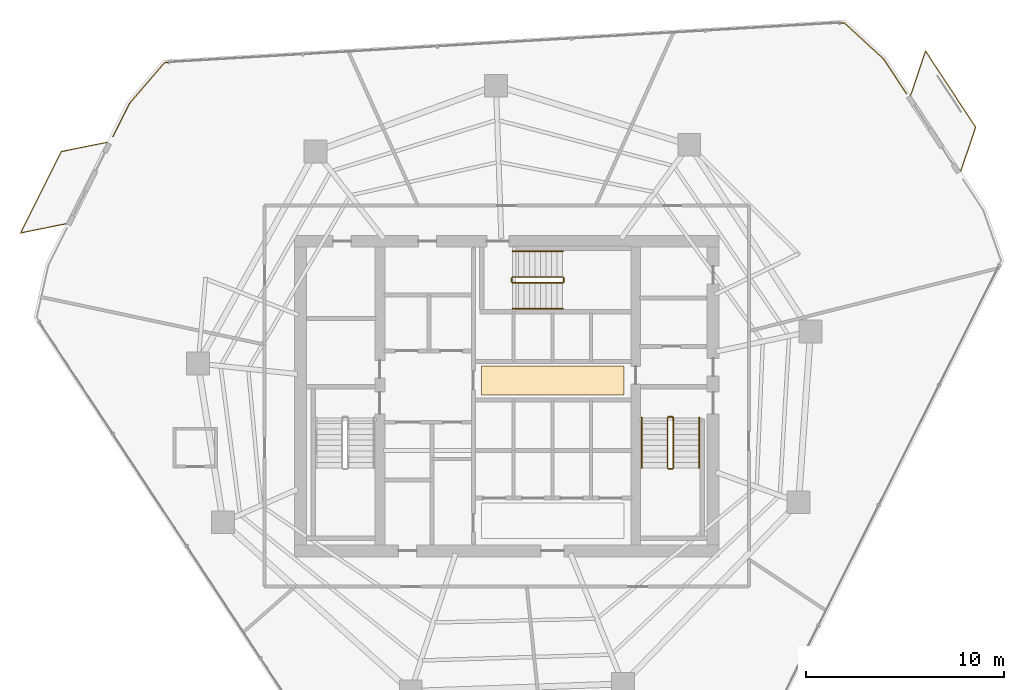
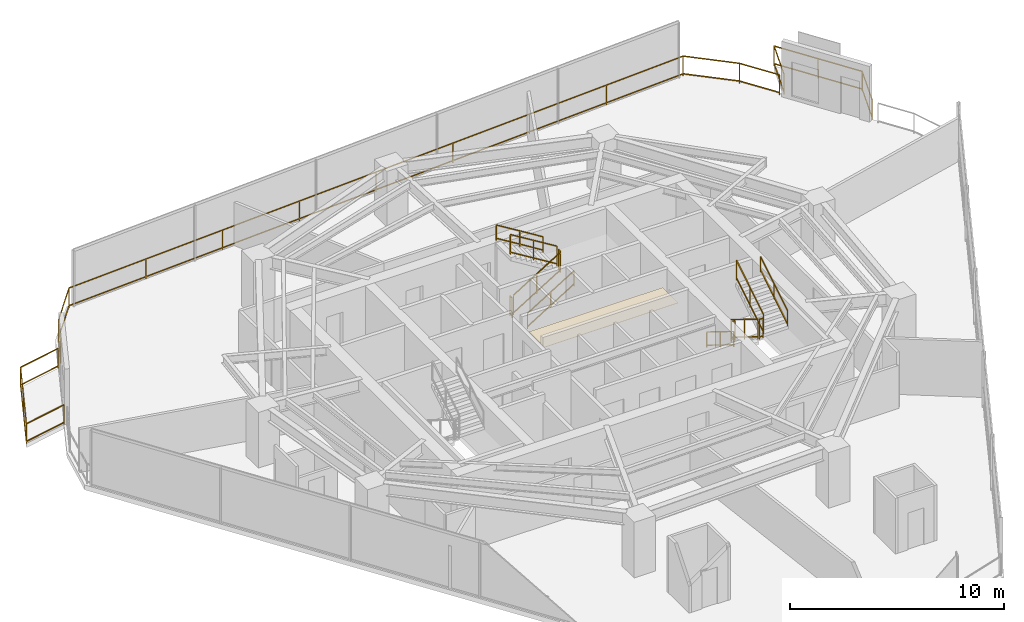
# One storey, part 30 of 30: 16 railings, 1 covering.
"""IFC4 building model written with IfcOpenShell, lengths in metres."""

from ifc_helpers import new_model, si_unit, direction, frame, origin, origin_2d, place, context, subcontext, project, spatial, rectangle, extrude, material, layer, layer_set, type_object, element, save


model = new_model("IFC4")

# Units and contexts
model_context = context("Model", 3, precision=1e-05, world=origin(), true_north=direction((0.0, 1.0)))
body_context = subcontext(model_context, "Body", "Model", "MODEL_VIEW")
ifc_project = project(units=[si_unit("LENGTHUNIT", "METRE"), si_unit("AREAUNIT", "SQUARE_METRE"), si_unit("VOLUMEUNIT", "CUBIC_METRE"), si_unit("PLANEANGLEUNIT", "RADIAN"), si_unit("MASSUNIT", "GRAM", prefix="KILO")], contexts=[model_context])

# Site, building, storey
site_placement = place(None, origin())
site = spatial("IfcSite", under=ifc_project, at=site_placement, CompositionType="ELEMENT")
building_placement = place(site_placement, origin())
building = spatial("IfcBuilding", under=site, at=building_placement, Name="Qarnah Convention Tower", CompositionType="ELEMENT")
storey_placement = place(building_placement, frame((0.0, 0.0, 79.800048828125)))
storey = spatial("IfcBuildingStorey", under=building, at=storey_placement, Name="L20", CompositionType="ELEMENT", Elevation=79.800048828125)

# Covering
ifc_material_1 = material(Name="Mineral fibre acoustic ceiling")
ifc_layer = layer(ifc_material_1, 0.02001953125)
ifc_layer_set = layer_set([ifc_layer], Name="Mineral fibre acoustic ceiling")
covering_type = type_object("IfcCoveringType", Name="COV-CEIL-20", PredefinedType="CEILING", material=ifc_layer_set)
covering_placement = place(storey_placement, frame((39.52001953125, 27.179931640625, 2.2900390625), z_axis=(0.0, 0.0, 1.0), x_axis=(1.0, 0.0, 0.0)))
element("IfcCovering", 1, at=covering_placement, inside=storey, type_object=covering_type, Name="L20 lift lobby acoustic ceiling", PredefinedType="CEILING", context=body_context, shape_type="SweptSolid", body=[
    extrude(rectangle(XDim=7.199951171875, YDim=1.449951171875, at=origin_2d()), origin(), (0.0, 0.0, 1.0), 0.02001953125),
])

# Railings
ifc_material_2 = material(Name="Black anodised aluminium", Category="aluminium")
railing_type_1 = type_object("IfcRailingType", Name="RL-EXT-GUARD-1150", PredefinedType="GUARDRAIL", material=ifc_material_2)
railing_1_placement = place(storey_placement, frame((56.199951171875, 43.3798828125, 0.0)))
element("IfcRailing", 2, at=railing_1_placement, inside=storey, type_object=railing_type_1, Name="L20 slab-edge perimeter safety guard 01", PredefinedType="GUARDRAIL", context=body_context, shape_type="SweptSolid", body=[
    extrude(rectangle(XDim=0.048095703125, YDim=0.048095703125, at=origin_2d()), frame((0.0, 0.0, 1.1259765625), z_axis=(0.549825162186, -0.835279768118, 0.0), x_axis=(0.835279768118, 0.549825162186, 0.0)), (0.0, 0.0, 1.0), 2.084228515625),
    extrude(rectangle(XDim=0.048095703125, YDim=0.048095703125, at=origin_2d()), frame((0.0, 0.0, 0.1201171875), z_axis=(0.549825162186, -0.835279768118, 0.0), x_axis=(0.835279768118, 0.549825162186, 0.0)), (0.0, 0.0, 1.0), 2.084228515625),
    extrude(rectangle(XDim=0.0419921875, YDim=0.0419921875, at=origin_2d()), origin(), (0.0, 0.0, 1.0), 1.101806640625),
    extrude(rectangle(XDim=0.0419921875, YDim=0.0419921875, at=origin_2d()), frame((1.14599609375, -1.740966796875, 0.0)), (0.0, 0.0, 1.0), 1.101806640625),
])
railing_2_placement = place(storey_placement, frame((17.343994140625, 39.472900390625, 0.0)))
element("IfcRailing", 3, at=railing_2_placement, inside=storey, type_object=railing_type_1, Name="L20 slab-edge perimeter safety guard 03", PredefinedType="GUARDRAIL", context=body_context, shape_type="SweptSolid", body=[
    extrude(rectangle(XDim=0.048095703125, YDim=0.048095703125, at=origin_2d()), frame((0.0, 0.0, 1.1259765625), z_axis=(0.448307647322, 0.893879328183, 0.0), x_axis=(-0.893879328183, 0.448307647322, 0.0)), (0.0, 0.0, 1.0), 1.8740234375),
    extrude(rectangle(XDim=0.048095703125, YDim=0.048095703125, at=origin_2d()), frame((0.0, 0.0, 0.1201171875), z_axis=(0.448307647322, 0.893879328183, 0.0), x_axis=(-0.893879328183, 0.448307647322, 0.0)), (0.0, 0.0, 1.0), 1.8740234375),
    extrude(rectangle(XDim=0.048095703125, YDim=0.048095703125, at=origin_2d()), frame((0.840087890625, 1.675048828125, 1.1259765625), z_axis=(0.651393912258, 0.758739725514, 0.0), x_axis=(-0.758739725514, 0.651393912258, 0.0)), (0.0, 0.0, 1.0), 2.701904296875),
    extrude(rectangle(XDim=0.048095703125, YDim=0.048095703125, at=origin_2d()), frame((0.840087890625, 1.675048828125, 0.1201171875), z_axis=(0.651393912258, 0.758739725514, 0.0), x_axis=(-0.758739725514, 0.651393912258, 0.0)), (0.0, 0.0, 1.0), 2.701904296875),
    extrude(rectangle(XDim=0.048095703125, YDim=0.048095703125, at=origin_2d()), frame((2.60009765625, 3.72509765625, 1.1259765625), z_axis=(0.998280939424, 0.058610289045, 0.0), x_axis=(-0.058610289045, 0.998280939424, 0.0)), (0.0, 0.0, 1.0), 34.327880859375),
    extrude(rectangle(XDim=0.048095703125, YDim=0.048095703125, at=origin_2d()), frame((2.60009765625, 3.72509765625, 0.1201171875), z_axis=(0.998280939424, 0.058610289045, 0.0), x_axis=(-0.058610289045, 0.998280939424, 0.0)), (0.0, 0.0, 1.0), 34.327880859375),
    extrude(rectangle(XDim=0.048095703125, YDim=0.048095703125, at=origin_2d()), frame((36.868896484375, 5.737060546875, 1.1259765625), z_axis=(0.735565252212, -0.677453880155, 0.0), x_axis=(0.677453880155, 0.735565252212, 0.0)), (0.0, 0.0, 1.0), 2.701416015625),
    extrude(rectangle(XDim=0.048095703125, YDim=0.048095703125, at=origin_2d()), frame((36.868896484375, 5.737060546875, 0.1201171875), z_axis=(0.735565252212, -0.677453880155, 0.0), x_axis=(0.677453880155, 0.735565252212, 0.0)), (0.0, 0.0, 1.0), 2.701416015625),
    extrude(rectangle(XDim=0.0419921875, YDim=0.0419921875, at=origin_2d()), origin(), (0.0, 0.0, 1.0), 1.101806640625),
    extrude(rectangle(XDim=0.0419921875, YDim=0.0419921875, at=origin_2d()), frame((0.840087890625, 1.675048828125, 0.0)), (0.0, 0.0, 1.0), 1.101806640625),
    extrude(rectangle(XDim=0.0419921875, YDim=0.0419921875, at=origin_2d()), frame((2.60009765625, 3.72509765625, 0.0)), (0.0, 0.0, 1.0), 1.101806640625),
    extrude(rectangle(XDim=0.0419921875, YDim=0.0419921875, at=origin_2d()), frame((6.8837890625, 3.9765625, 0.0)), (0.0, 0.0, 1.0), 1.101806640625),
    extrude(rectangle(XDim=0.0419921875, YDim=0.0419921875, at=origin_2d()), frame((11.167236328125, 4.22802734375, 0.0)), (0.0, 0.0, 1.0), 1.101806640625),
    extrude(rectangle(XDim=0.0419921875, YDim=0.0419921875, at=origin_2d()), frame((15.450927734375, 4.4794921875, 0.0)), (0.0, 0.0, 1.0), 1.101806640625),
    extrude(rectangle(XDim=0.0419921875, YDim=0.0419921875, at=origin_2d()), frame((19.734375, 4.73095703125, 0.0)), (0.0, 0.0, 1.0), 1.101806640625),
    extrude(rectangle(XDim=0.0419921875, YDim=0.0419921875, at=origin_2d()), frame((24.01806640625, 4.982666015625, 0.0)), (0.0, 0.0, 1.0), 1.101806640625),
    extrude(rectangle(XDim=0.0419921875, YDim=0.0419921875, at=origin_2d()), frame((28.3017578125, 5.234130859375, 0.0)), (0.0, 0.0, 1.0), 1.101806640625),
    extrude(rectangle(XDim=0.0419921875, YDim=0.0419921875, at=origin_2d()), frame((32.585205078125, 5.485595703125, 0.0)), (0.0, 0.0, 1.0), 1.101806640625),
    extrude(rectangle(XDim=0.0419921875, YDim=0.0419921875, at=origin_2d()), frame((36.868896484375, 5.737060546875, 0.0)), (0.0, 0.0, 1.0), 1.101806640625),
    extrude(rectangle(XDim=0.0419921875, YDim=0.0419921875, at=origin_2d()), frame((38.85595703125, 3.906982421875, 0.0)), (0.0, 0.0, 1.0), 1.101806640625),
])
railing_3_placement = place(storey_placement, frame((57.553955078125, 41.568115234375, 0.0)))
element("IfcRailing", 4, at=railing_3_placement, inside=storey, type_object=railing_type_1, Name="L20 balcony safety guard BAL-L20-C1", PredefinedType="GUARDRAIL", context=body_context, shape_type="SweptSolid", body=[
    extrude(rectangle(XDim=0.048095703125, YDim=0.048095703125, at=origin_2d()), frame((0.0, 0.0, 1.1259765625), z_axis=(0.319812479131, 0.947480859011, 0.0), x_axis=(-0.947480859011, 0.319812479131, 0.0)), (0.0, 0.0, 1.0), 2.34814453125),
    extrude(rectangle(XDim=0.048095703125, YDim=0.048095703125, at=origin_2d()), frame((0.0, 0.0, 0.1201171875), z_axis=(0.319812479131, 0.947480859011, 0.0), x_axis=(-0.947480859011, 0.319812479131, 0.0)), (0.0, 0.0, 1.0), 2.34814453125),
    extrude(rectangle(XDim=0.048095703125, YDim=0.048095703125, at=origin_2d()), frame((0.7509765625, 2.224853515625, 1.1259765625), z_axis=(0.549828023553, -0.835277884608, 0.0), x_axis=(0.835277884608, 0.549828023553, 0.0)), (0.0, 0.0, 1.0), 4.599609375),
    extrude(rectangle(XDim=0.048095703125, YDim=0.048095703125, at=origin_2d()), frame((0.7509765625, 2.224853515625, 0.1201171875), z_axis=(0.549828023553, -0.835277884608, 0.0), x_axis=(0.835277884608, 0.549828023553, 0.0)), (0.0, 0.0, 1.0), 4.599609375),
    extrude(rectangle(XDim=0.048095703125, YDim=0.048095703125, at=origin_2d()), frame((3.280029296875, -1.6171875, 1.1259765625), z_axis=(-0.319439059991, -0.947606820866, 0.0), x_axis=(0.947606820866, -0.319439059991, 0.0)), (0.0, 0.0, 1.0), 2.347900390625),
    extrude(rectangle(XDim=0.048095703125, YDim=0.048095703125, at=origin_2d()), frame((3.280029296875, -1.6171875, 0.1201171875), z_axis=(-0.319439059991, -0.947606820866, 0.0), x_axis=(0.947606820866, -0.319439059991, 0.0)), (0.0, 0.0, 1.0), 2.347900390625),
    extrude(rectangle(XDim=0.0419921875, YDim=0.0419921875, at=origin_2d()), origin(), (0.0, 0.0, 1.0), 1.101806640625),
    extrude(rectangle(XDim=0.0419921875, YDim=0.0419921875, at=origin_2d()), frame((0.7509765625, 2.224853515625, 0.0)), (0.0, 0.0, 1.0), 1.101806640625),
    extrude(rectangle(XDim=0.0419921875, YDim=0.0419921875, at=origin_2d()), frame((2.015625, 0.3037109375, 0.0)), (0.0, 0.0, 1.0), 1.101806640625),
    extrude(rectangle(XDim=0.0419921875, YDim=0.0419921875, at=origin_2d()), frame((3.280029296875, -1.6171875, 0.0)), (0.0, 0.0, 1.0), 1.101806640625),
    extrude(rectangle(XDim=0.0419921875, YDim=0.0419921875, at=origin_2d()), frame((2.530029296875, -3.842041015625, 0.0)), (0.0, 0.0, 1.0), 1.101806640625),
])
railing_4_placement = place(storey_placement, frame((14.989013671875, 35.0791015625, 0.0)))
element("IfcRailing", 5, at=railing_4_placement, inside=storey, type_object=railing_type_1, Name="L20 balcony safety guard BAL-L20-C2", PredefinedType="GUARDRAIL", context=body_context, shape_type="SweptSolid", body=[
    extrude(rectangle(XDim=0.048095703125, YDim=0.048095703125, at=origin_2d()), frame((0.0, 0.0, 1.1259765625), z_axis=(-0.980356095778, -0.197235710435, 0.0), x_axis=(0.197235710435, -0.980356095778, 0.0)), (0.0, 0.0, 1.0), 2.34814453125),
    extrude(rectangle(XDim=0.048095703125, YDim=0.048095703125, at=origin_2d()), frame((0.0, 0.0, 0.1201171875), z_axis=(-0.980356095778, -0.197235710435, 0.0), x_axis=(0.197235710435, -0.980356095778, 0.0)), (0.0, 0.0, 1.0), 2.34814453125),
    extrude(rectangle(XDim=0.048095703125, YDim=0.048095703125, at=origin_2d()), frame((-2.302001953125, -0.463134765625, 1.1259765625), z_axis=(0.448423132749, 0.893821399395, 0.0), x_axis=(-0.893821399395, 0.448423132749, 0.0)), (0.0, 0.0, 1.0), 4.6005859375),
    extrude(rectangle(XDim=0.048095703125, YDim=0.048095703125, at=origin_2d()), frame((-2.302001953125, -0.463134765625, 0.1201171875), z_axis=(0.448423132749, 0.893821399395, 0.0), x_axis=(-0.893821399395, 0.448423132749, 0.0)), (0.0, 0.0, 1.0), 4.6005859375),
    extrude(rectangle(XDim=0.048095703125, YDim=0.048095703125, at=origin_2d()), frame((-0.239013671875, 3.64892578125, 1.1259765625), z_axis=(0.980456499917, 0.196735995105, 0.0), x_axis=(-0.196735995105, 0.980456499917, 0.0)), (0.0, 0.0, 1.0), 2.347900390625),
    extrude(rectangle(XDim=0.048095703125, YDim=0.048095703125, at=origin_2d()), frame((-0.239013671875, 3.64892578125, 0.1201171875), z_axis=(0.980456499917, 0.196735995105, 0.0), x_axis=(-0.196735995105, 0.980456499917, 0.0)), (0.0, 0.0, 1.0), 2.347900390625),
    extrude(rectangle(XDim=0.0419921875, YDim=0.0419921875, at=origin_2d()), origin(), (0.0, 0.0, 1.0), 1.101806640625),
    extrude(rectangle(XDim=0.0419921875, YDim=0.0419921875, at=origin_2d()), frame((-2.302001953125, -0.463134765625, 0.0)), (0.0, 0.0, 1.0), 1.101806640625),
    extrude(rectangle(XDim=0.0419921875, YDim=0.0419921875, at=origin_2d()), frame((-1.2705078125, 1.5927734375, 0.0)), (0.0, 0.0, 1.0), 1.101806640625),
    extrude(rectangle(XDim=0.0419921875, YDim=0.0419921875, at=origin_2d()), frame((-0.239013671875, 3.64892578125, 0.0)), (0.0, 0.0, 1.0), 1.101806640625),
    extrude(rectangle(XDim=0.0419921875, YDim=0.0419921875, at=origin_2d()), frame((2.06298828125, 4.11083984375, 0.0)), (0.0, 0.0, 1.0), 1.101806640625),
])
ifc_material_3 = material(Name="Structural steel S355JR", Category="steel")
railing_type_2 = type_object("IfcRailingType", Name="RL-STAIR-GUARD-1150", PredefinedType="GUARDRAIL", material=ifc_material_3)
railing_5_placement = place(storey_placement, frame((45.300048828125, 25.300048828125, 0.17236328125)))
element("IfcRailing", 6, at=railing_5_placement, inside=storey, type_object=railing_type_2, Name="L20 ST-2 stair guard 1", PredefinedType="GUARDRAIL", context=body_context, shape_type="SweptSolid", body=[
    extrude(rectangle(XDim=0.048095703125, YDim=0.048095703125, at=origin_2d()), frame((0.0, 0.0, 1.1259765625), z_axis=(0.0, -0.851400495292, 0.524516154772), x_axis=(1.0, 0.0, 0.0)), (0.0, 0.0, 1.0), 2.9599609375),
    extrude(rectangle(XDim=0.048095703125, YDim=0.048095703125, at=origin_2d()), frame((0.0, 0.0, 0.1201171875), z_axis=(0.0, -0.851400495292, 0.524516154772), x_axis=(1.0, 0.0, 0.0)), (0.0, 0.0, 1.0), 2.9599609375),
    extrude(rectangle(XDim=0.0419921875, YDim=0.0419921875, at=origin_2d()), origin(), (0.0, 0.0, 1.0), 1.101806640625),
    extrude(rectangle(XDim=0.0419921875, YDim=0.0419921875, at=origin_2d()), frame((0.0, -1.260009765625, 0.7763671875)), (0.0, 0.0, 1.0), 1.101806640625),
    extrude(rectangle(XDim=0.0419921875, YDim=0.0419921875, at=origin_2d()), frame((0.0, -2.52001953125, 1.552490234375)), (0.0, 0.0, 1.0), 1.101806640625),
])
railing_6_placement = place(storey_placement, frame((45.35009765625, 22.72998046875, 1.724853515625)))
element("IfcRailing", 7, at=railing_6_placement, inside=storey, type_object=railing_type_2, Name="L20 ST-2 stair guard 2", PredefinedType="GUARDRAIL", context=body_context, shape_type="SweptSolid", body=[
    extrude(rectangle(XDim=0.048095703125, YDim=0.048095703125, at=origin_2d()), frame((0.0, 0.0, 1.1259765625), z_axis=(1.0, 0.0, 0.0), x_axis=(0.0, 1.0, 0.0)), (0.0, 0.0, 1.0), 0.199951171875),
    extrude(rectangle(XDim=0.048095703125, YDim=0.048095703125, at=origin_2d()), frame((0.0, 0.0, 0.1201171875), z_axis=(1.0, 0.0, 0.0), x_axis=(0.0, 1.0, 0.0)), (0.0, 0.0, 1.0), 0.199951171875),
    extrude(rectangle(XDim=0.0419921875, YDim=0.0419921875, at=origin_2d()), origin(), (0.0, 0.0, 1.0), 1.101806640625),
    extrude(rectangle(XDim=0.0419921875, YDim=0.0419921875, at=origin_2d()), frame((0.199951171875, 0.0, 0.0)), (0.0, 0.0, 1.0), 1.101806640625),
])
railing_7_placement = place(storey_placement, frame((45.60009765625, 22.780029296875, 1.8974609375)))
element("IfcRailing", 8, at=railing_7_placement, inside=storey, type_object=railing_type_2, Name="L20 ST-2 stair guard 3", PredefinedType="GUARDRAIL", context=body_context, shape_type="SweptSolid", body=[
    extrude(rectangle(XDim=0.048095703125, YDim=0.048095703125, at=origin_2d()), frame((0.0, 0.0, 1.1259765625), z_axis=(0.0, 0.851400495292, 0.524516154772), x_axis=(-1.0, 0.0, 0.0)), (0.0, 0.0, 1.0), 2.9599609375),
    extrude(rectangle(XDim=0.048095703125, YDim=0.048095703125, at=origin_2d()), frame((0.0, 0.0, 0.1201171875), z_axis=(0.0, 0.851400495292, 0.524516154772), x_axis=(-1.0, 0.0, 0.0)), (0.0, 0.0, 1.0), 2.9599609375),
    extrude(rectangle(XDim=0.0419921875, YDim=0.0419921875, at=origin_2d()), origin(), (0.0, 0.0, 1.0), 1.101806640625),
    extrude(rectangle(XDim=0.0419921875, YDim=0.0419921875, at=origin_2d()), frame((0.0, 1.260009765625, 0.7763671875)), (0.0, 0.0, 1.0), 1.101806640625),
    extrude(rectangle(XDim=0.0419921875, YDim=0.0419921875, at=origin_2d()), frame((0.0, 2.52001953125, 1.552490234375)), (0.0, 0.0, 1.0), 1.101806640625),
])
railing_8_placement = place(storey_placement, frame((45.35009765625, 25.35009765625, 0.0)))
element("IfcRailing", 9, at=railing_8_placement, inside=storey, type_object=railing_type_2, Name="L20 ST-2 stair guard 4", PredefinedType="GUARDRAIL", context=body_context, shape_type="SweptSolid", body=[
    extrude(rectangle(XDim=0.048095703125, YDim=0.048095703125, at=origin_2d()), frame((0.0, 0.0, 1.1259765625), z_axis=(1.0, 0.0, 0.0), x_axis=(0.0, 1.0, 0.0)), (0.0, 0.0, 1.0), 0.199951171875),
    extrude(rectangle(XDim=0.048095703125, YDim=0.048095703125, at=origin_2d()), frame((0.0, 0.0, 0.1201171875), z_axis=(1.0, 0.0, 0.0), x_axis=(0.0, 1.0, 0.0)), (0.0, 0.0, 1.0), 0.199951171875),
    extrude(rectangle(XDim=0.0419921875, YDim=0.0419921875, at=origin_2d()), origin(), (0.0, 0.0, 1.0), 1.101806640625),
    extrude(rectangle(XDim=0.0419921875, YDim=0.0419921875, at=origin_2d()), frame((0.199951171875, 0.0, 0.0)), (0.0, 0.0, 1.0), 1.101806640625),
])
railing_9_placement = place(storey_placement, frame((37.5, 32.10009765625, 0.17236328125)))
element("IfcRailing", 10, at=railing_9_placement, inside=storey, type_object=railing_type_2, Name="L20 ST-3 stair guard 1", PredefinedType="GUARDRAIL", context=body_context, shape_type="SweptSolid", body=[
    extrude(rectangle(XDim=0.048095703125, YDim=0.048095703125, at=origin_2d()), frame((0.0, 0.0, 1.1259765625), z_axis=(0.851400495292, 0.0, 0.524516154772), x_axis=(0.0, 1.0, 0.0)), (0.0, 0.0, 1.0), 2.9599609375),
    extrude(rectangle(XDim=0.048095703125, YDim=0.048095703125, at=origin_2d()), frame((0.0, 0.0, 0.1201171875), z_axis=(0.851400495292, 0.0, 0.524516154772), x_axis=(0.0, 1.0, 0.0)), (0.0, 0.0, 1.0), 2.9599609375),
    extrude(rectangle(XDim=0.0419921875, YDim=0.0419921875, at=origin_2d()), origin(), (0.0, 0.0, 1.0), 1.101806640625),
    extrude(rectangle(XDim=0.0419921875, YDim=0.0419921875, at=origin_2d()), frame((1.260009765625, 0.0, 0.7763671875)), (0.0, 0.0, 1.0), 1.101806640625),
    extrude(rectangle(XDim=0.0419921875, YDim=0.0419921875, at=origin_2d()), frame((2.52001953125, 0.0, 1.552490234375)), (0.0, 0.0, 1.0), 1.101806640625),
])
railing_10_placement = place(storey_placement, frame((40.070068359375, 32.14990234375, 1.724853515625)))
element("IfcRailing", 11, at=railing_10_placement, inside=storey, type_object=railing_type_2, Name="L20 ST-3 stair guard 2", PredefinedType="GUARDRAIL", context=body_context, shape_type="SweptSolid", body=[
    extrude(rectangle(XDim=0.048095703125, YDim=0.048095703125, at=origin_2d()), frame((0.0, 0.0, 1.1259765625), z_axis=(0.0, 1.0, 0.0), x_axis=(-1.0, 0.0, 0.0)), (0.0, 0.0, 1.0), 0.2001953125),
    extrude(rectangle(XDim=0.048095703125, YDim=0.048095703125, at=origin_2d()), frame((0.0, 0.0, 0.1201171875), z_axis=(0.0, 1.0, 0.0), x_axis=(-1.0, 0.0, 0.0)), (0.0, 0.0, 1.0), 0.2001953125),
    extrude(rectangle(XDim=0.0419921875, YDim=0.0419921875, at=origin_2d()), origin(), (0.0, 0.0, 1.0), 1.101806640625),
    extrude(rectangle(XDim=0.0419921875, YDim=0.0419921875, at=origin_2d()), frame((0.0, 0.2001953125, 0.0)), (0.0, 0.0, 1.0), 1.101806640625),
])
railing_11_placement = place(storey_placement, frame((40.02001953125, 32.39990234375, 1.8974609375)))
element("IfcRailing", 12, at=railing_11_placement, inside=storey, type_object=railing_type_2, Name="L20 ST-3 stair guard 3", PredefinedType="GUARDRAIL", context=body_context, shape_type="SweptSolid", body=[
    extrude(rectangle(XDim=0.048095703125, YDim=0.048095703125, at=origin_2d()), frame((0.0, 0.0, 1.1259765625), z_axis=(-0.851400495292, 0.0, 0.524516154772), x_axis=(0.0, -1.0, 0.0)), (0.0, 0.0, 1.0), 2.9599609375),
    extrude(rectangle(XDim=0.048095703125, YDim=0.048095703125, at=origin_2d()), frame((0.0, 0.0, 0.1201171875), z_axis=(-0.851400495292, 0.0, 0.524516154772), x_axis=(0.0, -1.0, 0.0)), (0.0, 0.0, 1.0), 2.9599609375),
    extrude(rectangle(XDim=0.0419921875, YDim=0.0419921875, at=origin_2d()), origin(), (0.0, 0.0, 1.0), 1.101806640625),
    extrude(rectangle(XDim=0.0419921875, YDim=0.0419921875, at=origin_2d()), frame((-1.260009765625, 0.0, 0.7763671875)), (0.0, 0.0, 1.0), 1.101806640625),
    extrude(rectangle(XDim=0.0419921875, YDim=0.0419921875, at=origin_2d()), frame((-2.52001953125, 0.0, 1.552490234375)), (0.0, 0.0, 1.0), 1.101806640625),
])
railing_12_placement = place(storey_placement, frame((37.449951171875, 32.14990234375, 0.0)))
element("IfcRailing", 13, at=railing_12_placement, inside=storey, type_object=railing_type_2, Name="L20 ST-3 stair guard 4", PredefinedType="GUARDRAIL", context=body_context, shape_type="SweptSolid", body=[
    extrude(rectangle(XDim=0.048095703125, YDim=0.048095703125, at=origin_2d()), frame((0.0, 0.0, 1.1259765625), z_axis=(0.0, 1.0, 0.0), x_axis=(-1.0, 0.0, 0.0)), (0.0, 0.0, 1.0), 0.2001953125),
    extrude(rectangle(XDim=0.048095703125, YDim=0.048095703125, at=origin_2d()), frame((0.0, 0.0, 0.1201171875), z_axis=(0.0, 1.0, 0.0), x_axis=(-1.0, 0.0, 0.0)), (0.0, 0.0, 1.0), 0.2001953125),
    extrude(rectangle(XDim=0.0419921875, YDim=0.0419921875, at=origin_2d()), origin(), (0.0, 0.0, 1.0), 1.101806640625),
    extrude(rectangle(XDim=0.0419921875, YDim=0.0419921875, at=origin_2d()), frame((0.0, 0.2001953125, 0.0)), (0.0, 0.0, 1.0), 1.101806640625),
])
railing_type_3 = type_object("IfcRailingType", Name="RL-STAIR-HAND-900", PredefinedType="HANDRAIL", material=ifc_material_3)
railing_13_placement = place(storey_placement, frame((44.0, 25.300048828125, 0.17236328125)))
element("IfcRailing", 14, at=railing_13_placement, inside=storey, type_object=railing_type_3, Name="L20 ST-2 stair handrail 1", PredefinedType="HANDRAIL", context=body_context, shape_type="SweptSolid", body=[
    extrude(rectangle(XDim=0.048095703125, YDim=0.048095703125, at=origin_2d()), frame((0.0, 0.0, 0.8759765625), z_axis=(0.0, -0.851400495292, 0.524516154772), x_axis=(1.0, 0.0, 0.0)), (0.0, 0.0, 1.0), 2.9599609375),
    extrude(rectangle(XDim=0.048095703125, YDim=0.048095703125, at=origin_2d()), frame((0.0, 0.0, 0.1201171875), z_axis=(0.0, -0.851400495292, 0.524516154772), x_axis=(1.0, 0.0, 0.0)), (0.0, 0.0, 1.0), 2.9599609375),
    extrude(rectangle(XDim=0.0419921875, YDim=0.0419921875, at=origin_2d()), origin(), (0.0, 0.0, 1.0), 0.851806640625),
    extrude(rectangle(XDim=0.0419921875, YDim=0.0419921875, at=origin_2d()), frame((0.0, -1.260009765625, 0.7763671875)), (0.0, 0.0, 1.0), 0.851806640625),
    extrude(rectangle(XDim=0.0419921875, YDim=0.0419921875, at=origin_2d()), frame((0.0, -2.52001953125, 1.552490234375)), (0.0, 0.0, 1.0), 0.851806640625),
])
railing_14_placement = place(storey_placement, frame((46.89990234375, 22.780029296875, 1.8974609375)))
element("IfcRailing", 15, at=railing_14_placement, inside=storey, type_object=railing_type_3, Name="L20 ST-2 stair handrail 2", PredefinedType="HANDRAIL", context=body_context, shape_type="SweptSolid", body=[
    extrude(rectangle(XDim=0.048095703125, YDim=0.048095703125, at=origin_2d()), frame((0.0, 0.0, 0.8759765625), z_axis=(0.0, 0.851400495292, 0.524516154772), x_axis=(-1.0, 0.0, 0.0)), (0.0, 0.0, 1.0), 2.9599609375),
    extrude(rectangle(XDim=0.048095703125, YDim=0.048095703125, at=origin_2d()), frame((0.0, 0.0, 0.1201171875), z_axis=(0.0, 0.851400495292, 0.524516154772), x_axis=(-1.0, 0.0, 0.0)), (0.0, 0.0, 1.0), 2.9599609375),
    extrude(rectangle(XDim=0.0419921875, YDim=0.0419921875, at=origin_2d()), origin(), (0.0, 0.0, 1.0), 0.851806640625),
    extrude(rectangle(XDim=0.0419921875, YDim=0.0419921875, at=origin_2d()), frame((0.0, 1.260009765625, 0.7763671875)), (0.0, 0.0, 1.0), 0.851806640625),
    extrude(rectangle(XDim=0.0419921875, YDim=0.0419921875, at=origin_2d()), frame((0.0, 2.52001953125, 1.552490234375)), (0.0, 0.0, 1.0), 0.851806640625),
])
railing_15_placement = place(storey_placement, frame((37.5, 30.800048828125, 0.17236328125)))
element("IfcRailing", 16, at=railing_15_placement, inside=storey, type_object=railing_type_3, Name="L20 ST-3 stair handrail 1", PredefinedType="HANDRAIL", context=body_context, shape_type="SweptSolid", body=[
    extrude(rectangle(XDim=0.048095703125, YDim=0.048095703125, at=origin_2d()), frame((0.0, 0.0, 0.8759765625), z_axis=(0.851400495292, 0.0, 0.524516154772), x_axis=(0.0, 1.0, 0.0)), (0.0, 0.0, 1.0), 2.9599609375),
    extrude(rectangle(XDim=0.048095703125, YDim=0.048095703125, at=origin_2d()), frame((0.0, 0.0, 0.1201171875), z_axis=(0.851400495292, 0.0, 0.524516154772), x_axis=(0.0, 1.0, 0.0)), (0.0, 0.0, 1.0), 2.9599609375),
    extrude(rectangle(XDim=0.0419921875, YDim=0.0419921875, at=origin_2d()), origin(), (0.0, 0.0, 1.0), 0.851806640625),
    extrude(rectangle(XDim=0.0419921875, YDim=0.0419921875, at=origin_2d()), frame((1.260009765625, 0.0, 0.7763671875)), (0.0, 0.0, 1.0), 0.851806640625),
    extrude(rectangle(XDim=0.0419921875, YDim=0.0419921875, at=origin_2d()), frame((2.52001953125, 0.0, 1.552490234375)), (0.0, 0.0, 1.0), 0.851806640625),
])
railing_16_placement = place(storey_placement, frame((40.02001953125, 33.699951171875, 1.8974609375)))
element("IfcRailing", 17, at=railing_16_placement, inside=storey, type_object=railing_type_3, Name="L20 ST-3 stair handrail 2", PredefinedType="HANDRAIL", context=body_context, shape_type="SweptSolid", body=[
    extrude(rectangle(XDim=0.048095703125, YDim=0.048095703125, at=origin_2d()), frame((0.0, 0.0, 0.8759765625), z_axis=(-0.851400495292, 0.0, 0.524516154772), x_axis=(0.0, -1.0, 0.0)), (0.0, 0.0, 1.0), 2.9599609375),
    extrude(rectangle(XDim=0.048095703125, YDim=0.048095703125, at=origin_2d()), frame((0.0, 0.0, 0.1201171875), z_axis=(-0.851400495292, 0.0, 0.524516154772), x_axis=(0.0, -1.0, 0.0)), (0.0, 0.0, 1.0), 2.9599609375),
    extrude(rectangle(XDim=0.0419921875, YDim=0.0419921875, at=origin_2d()), origin(), (0.0, 0.0, 1.0), 0.851806640625),
    extrude(rectangle(XDim=0.0419921875, YDim=0.0419921875, at=origin_2d()), frame((-1.260009765625, 0.0, 0.7763671875)), (0.0, 0.0, 1.0), 0.851806640625),
    extrude(rectangle(XDim=0.0419921875, YDim=0.0419921875, at=origin_2d()), frame((-2.52001953125, 0.0, 1.552490234375)), (0.0, 0.0, 1.0), 0.851806640625),
])

save(model, "model.ifc")
